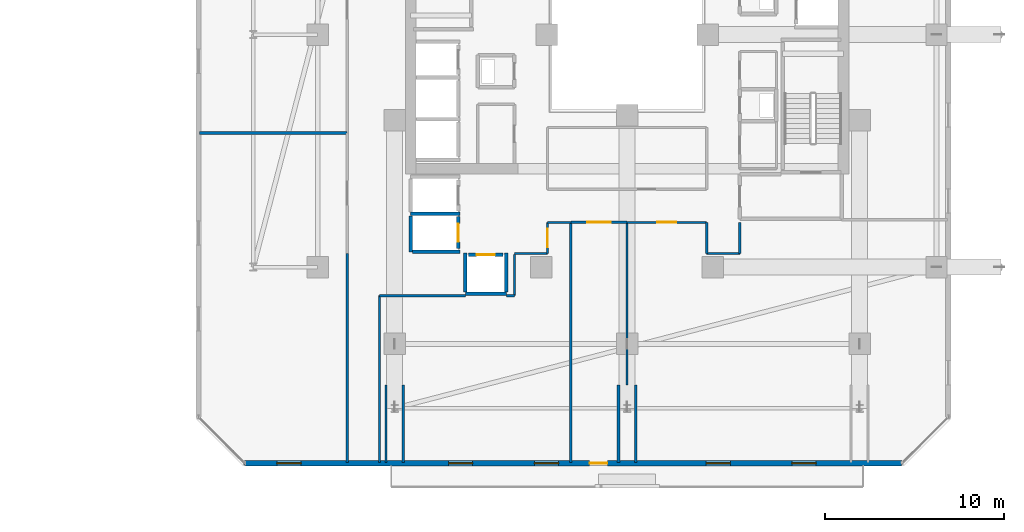
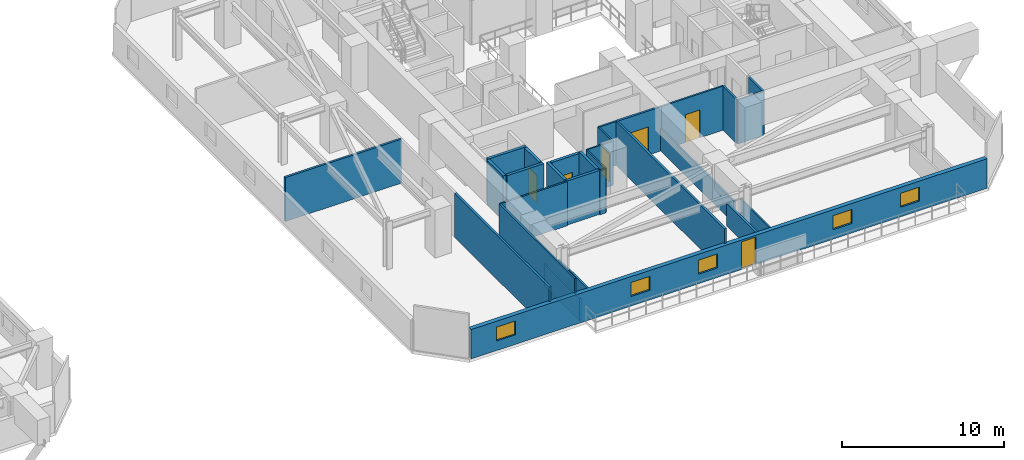
# One storey, part 25 of 36: 29 walls, 6 doors, 5 windows, 11 openings.
"""IFC4 building model written with IfcOpenShell, lengths in metres."""

from ifc_helpers import new_model, si_unit, direction, frame, frame_2d, origin, place, context, subcontext, project, spatial, rectangle, extrude, material, layer, layer_set, type_object, element, fill, save


model = new_model("IFC4")

# Units and contexts
model_context = context("Model", 3, precision=1e-05, world=origin(), true_north=direction((0.0, 1.0)))
body_context = subcontext(model_context, "Body", "Model", "MODEL_VIEW")
ifc_project = project(units=[si_unit("LENGTHUNIT", "METRE"), si_unit("AREAUNIT", "SQUARE_METRE"), si_unit("VOLUMEUNIT", "CUBIC_METRE"), si_unit("PLANEANGLEUNIT", "RADIAN"), si_unit("MASSUNIT", "GRAM", prefix="KILO")], contexts=[model_context])

# Site, building, storey
site_placement = place(None, origin())
site = spatial("IfcSite", under=ifc_project, at=site_placement, CompositionType="ELEMENT")
building_placement = place(site_placement, origin())
building = spatial("IfcBuilding", under=site, at=building_placement, Name="Thornwick Lancets Civic Towers", CompositionType="ELEMENT")
storey_placement = place(building_placement, frame((0.0, 0.0, 116.10009765625)))
storey = spatial("IfcBuildingStorey", under=building, at=storey_placement, Name="L30", CompositionType="ELEMENT", Elevation=116.10009765625)

# Wall, opening, door
ifc_material_1 = material(Name="Concrete blockwork C40/50", Category="masonry")
ifc_layer_1 = layer(ifc_material_1, 0.199951171875, Name="Concrete blockwork C40/50")
ifc_layer_set_1 = layer_set([ifc_layer_1], Name="Concrete blockwork C40/50")
wall_type_1 = type_object("IfcWallType", Name="WALL_COMP_200", PredefinedType="STANDARD", material=ifc_layer_set_1)
wall_1_placement = place(storey_placement, frame((79.050048828125, 15.030029296875, 0.0), z_axis=(0.0, 0.0, 1.0), x_axis=(0.0, 1.0, 0.0)))
wall_1 = element("IfcWall", 1, at=wall_1_placement, inside=storey, type_object=wall_type_1, Name="L30 Hoistway Front Wall PL-BM2", PredefinedType="STANDARD", context=body_context, shape_type="SweptSolid", body=[
    extrude(rectangle(XDim=1.7900390625, YDim=0.199951171875, at=frame_2d((0.89501953125, 0.0))), origin(), (0.0, 0.0, 1.0), 3.31982421875),
])
opening_1_placement = place(wall_1_placement, frame((0.385009765625, 0.0, 0.0)))
opening_1 = element("IfcOpeningElement", 2, at=opening_1_placement, cuts=wall_1, Name="Opening LD-PL-BM2", PredefinedType="OPENING", context=body_context, shape_type="SweptSolid", body=[
    extrude(rectangle(XDim=1.02001953125, YDim=2.06005859375, at=frame_2d((0.510009765625, 1.030029296875))), frame((0.0, 0.10986328125, 0.0), z_axis=(0.0, -1.0, 0.0), x_axis=(1.0, 0.0, 0.0)), (0.0, 0.0, 1.0), 0.219970703125),
])
ifc_material_2 = material(Name="Brushed bronze stainless steel", Category="steel")
door_type_1 = type_object("IfcDoorType", Name="DOOR_LIFT_SLIDE", OperationType="SLIDING_TO_LEFT", PredefinedType="DOOR", material=ifc_material_2)
door_1_placement = place(opening_1_placement, origin())
door_1 = element("IfcDoor", 3, at=door_1_placement, inside=storey, type_object=door_type_1, Name="L30 Sliding Lift Landing Door LD-PL-BM2", OperationType="SLIDING_TO_LEFT", OverallHeight=2.06005859375, OverallWidth=1.02001953125, PredefinedType="DOOR", context=body_context, shape_type="SweptSolid", body=[
    extrude(rectangle(XDim=1.02001953125, YDim=2.06005859375, at=frame_2d((0.510009765625, 1.030029296875))), frame((0.0, 0.02490234375, 0.0), z_axis=(0.0, -1.0, 0.0), x_axis=(1.0, 0.0, 0.0)), (0.0, 0.0, 1.0), 0.050048828125),
])
fill(opening_1, door_1)

wall_2_placement = place(storey_placement, frame((79.6298828125, 14.699951171875, 0.0), z_axis=(0.0, 0.0, 1.0), x_axis=(1.0, 0.0, 0.0)))
wall_2 = element("IfcWall", 4, at=wall_2_placement, inside=storey, type_object=wall_type_1, Name="L30 Hoistway Front Wall PL-BM3", PredefinedType="STANDARD", context=body_context, shape_type="SweptSolid", body=[
    extrude(rectangle(XDim=1.940185546875, YDim=0.199951171875, at=frame_2d((0.97021484375, 0.0))), origin(), (0.0, 0.0, 1.0), 3.31982421875),
])
opening_2_placement = place(wall_2_placement, frame((0.4599609375, 0.0, 0.0)))
opening_2 = element("IfcOpeningElement", 5, at=opening_2_placement, cuts=wall_2, Name="Opening LD-PL-BM3", PredefinedType="OPENING", context=body_context, shape_type="SweptSolid", body=[
    extrude(rectangle(XDim=1.02001953125, YDim=2.06005859375, at=frame_2d((0.510009765625, 1.030029296875))), frame((0.0, 0.10986328125, 0.0), z_axis=(0.0, -1.0, 0.0), x_axis=(1.0, 0.0, 0.0)), (0.0, 0.0, 1.0), 0.219970703125),
])
door_2_placement = place(opening_2_placement, origin())
door_2 = element("IfcDoor", 6, at=door_2_placement, inside=storey, type_object=door_type_1, Name="L30 Sliding Lift Landing Door LD-PL-BM3", OperationType="SLIDING_TO_LEFT", OverallHeight=2.06005859375, OverallWidth=1.02001953125, PredefinedType="DOOR", context=body_context, shape_type="SweptSolid", body=[
    extrude(rectangle(XDim=1.02001953125, YDim=2.06005859375, at=frame_2d((0.510009765625, 1.030029296875))), frame((0.0, 0.02490234375, 0.0), z_axis=(0.0, -1.0, 0.0), x_axis=(1.0, 0.0, 0.0)), (0.0, 0.0, 1.0), 0.050048828125),
])
fill(opening_2, door_2)

# Walls
wall_3_placement = place(storey_placement, frame((76.402099609375, 16.97509765625, 0.0), z_axis=(0.0, 0.0, 1.0), x_axis=(1.0, 0.0, 0.0)))
element("IfcWall", 7, at=wall_3_placement, inside=storey, type_object=wall_type_1, Name="L30 Hoistway Shaft Wall PL-BM1 S", PredefinedType="STANDARD", context=body_context, shape_type="SweptSolid", body=[
    extrude(rectangle(XDim=2.745849609375, YDim=0.199951171875, at=frame_2d((1.373046875, 0.0))), origin(), (0.0, 0.0, 1.0), 3.31982421875),
])
wall_4_placement = place(storey_placement, frame((76.39990234375, 14.85205078125, 0.0), z_axis=(0.0, 0.0, 1.0), x_axis=(0.0, 1.0, 0.0)))
element("IfcWall", 8, at=wall_4_placement, inside=storey, type_object=wall_type_1, Name="L30 Hoistway Shaft Wall PL-BM1 W", PredefinedType="STANDARD", context=body_context, shape_type="SweptSolid", body=[
    extrude(rectangle(XDim=2.015869140625, YDim=0.199951171875, at=frame_2d((1.0078125, 0.0))), origin(), (0.0, 0.0, 1.0), 3.31982421875),
])
wall_5_placement = place(storey_placement, frame((76.511962890625, 14.85009765625, 0.0), z_axis=(0.0, 0.0, 1.0), x_axis=(1.0, 0.0, 0.0)))
element("IfcWall", 9, at=wall_5_placement, inside=storey, type_object=wall_type_1, Name="L30 Hoistway Shaft Wall PL-BM2 S", PredefinedType="STANDARD", context=body_context, shape_type="SweptSolid", body=[
    extrude(rectangle(XDim=2.635986328125, YDim=0.199951171875, at=frame_2d((1.31787109375, 0.0))), origin(), (0.0, 0.0, 1.0), 3.31982421875),
])
wall_6_placement = place(storey_placement, frame((79.451904296875, 12.5, 0.0), z_axis=(0.0, 0.0, 1.0), x_axis=(1.0, 0.0, 0.0)))
element("IfcWall", 10, at=wall_6_placement, inside=storey, type_object=wall_type_1, Name="L30 Hoistway Shaft Wall PL-BM3 S", PredefinedType="STANDARD", context=body_context, shape_type="SweptSolid", body=[
    extrude(rectangle(XDim=2.296142578125, YDim=0.199951171875, at=frame_2d((1.14794921875, 0.0))), origin(), (0.0, 0.0, 1.0), 3.31982421875),
])
for number, where, z_axis, x_axis, name in (
    (11, (81.75, 12.612060546875, 0.0), (0.0, 0.0, 1.0), (0.0, 1.0, 0.0), "L30 Hoistway Shaft Wall PL-BM3 E"),
    (12, (79.449951171875, 12.612060546875, 0.0), (0.0, 0.0, 1.0), (0.0, 1.0, 0.0), "L30 Hoistway Shaft Wall PL-BM3 W"),
):
    element("IfcWall", number, at=place(storey_placement, frame(where, z_axis=z_axis, x_axis=x_axis)), inside=storey, type_object=wall_type_1, Name=name, PredefinedType="STANDARD", context=body_context, shape_type="SweptSolid", body=[
        extrude(rectangle(XDim=2.18603515625, YDim=0.199951171875, at=frame_2d((1.093017578125, 0.0))), origin(), (0.0, 0.0, 1.0), 3.31982421875),
    ])

# Wall, openings, door, windows
ifc_material_3 = material(Name="Insulated russet terracotta rainscreen on concrete C40/50", Category="masonry")
ifc_layer_2 = layer(ifc_material_3, 0.300048828125, Name="Insulated russet terracotta rainscreen on concrete C40/50")
ifc_layer_set_2 = layer_set([ifc_layer_2], Name="Insulated russet terracotta rainscreen on concrete C40/50")
wall_type_2 = type_object("IfcWallType", Name="WALL_EXT_RUSSET_300", PredefinedType="STANDARD", material=ifc_layer_set_2)
wall_7_placement = place(storey_placement, frame((67.11865234375, 3.035400390625, 0.0), z_axis=(0.0, 0.0, 1.0), x_axis=(1.0, 0.0, 0.0)))
wall_7 = element("IfcWall", 13, at=wall_7_placement, inside=storey, type_object=wall_type_2, Name="L30 Tower B Terracotta Facade Wall E0", PredefinedType="STANDARD", context=body_context, shape_type="SweptSolid", body=[
    extrude(rectangle(XDim=36.7626953125, YDim=0.300048828125, at=frame_2d((18.38134765625, 0.0))), origin(), (0.0, 0.0, 1.0), 2.219970703125),
])
opening_3_placement = place(wall_7_placement, frame((19.28125, 0.0, 0.0)))
opening_3 = element("IfcOpeningElement", 14, at=opening_3_placement, cuts=wall_7, Name="Opening D-BL-L30-BS", PredefinedType="OPENING", context=body_context, shape_type="SweptSolid", body=[
    extrude(rectangle(XDim=1.0, YDim=2.080078125, at=frame_2d((0.5, 1.0400390625))), frame((0.0, 0.16015625, 0.0), z_axis=(0.0, -1.0, 0.0), x_axis=(1.0, 0.0, 0.0)), (0.0, 0.0, 1.0), 0.320068359375),
])
opening_4_placement = place(wall_7_placement, frame((1.800048828125, 0.0, 0.719970703125)))
opening_4 = element("IfcOpeningElement", 15, at=opening_4_placement, cuts=wall_7, Name="Opening WL-03", PredefinedType="OPENING", context=body_context, shape_type="SweptSolid", body=[
    extrude(rectangle(XDim=1.35009765625, YDim=1.050048828125, at=frame_2d((0.675048828125, 0.52490234375))), frame((0.0, 0.16015625, 0.0), z_axis=(0.0, -1.0, 0.0), x_axis=(1.0, 0.0, 0.0)), (0.0, 0.0, 1.0), 0.320068359375),
])
opening_5_placement = place(wall_7_placement, frame((11.39990234375, 0.0, 0.719970703125)))
opening_5 = element("IfcOpeningElement", 16, at=opening_5_placement, cuts=wall_7, Name="Opening WL-03", PredefinedType="OPENING", context=body_context, shape_type="SweptSolid", body=[
    extrude(rectangle(XDim=1.35009765625, YDim=1.050048828125, at=frame_2d((0.675048828125, 0.52490234375))), frame((0.0, 0.16015625, 0.0), z_axis=(0.0, -1.0, 0.0), x_axis=(1.0, 0.0, 0.0)), (0.0, 0.0, 1.0), 0.320068359375),
])
opening_6_placement = place(wall_7_placement, frame((16.199951171875, 0.0, 0.719970703125)))
opening_6 = element("IfcOpeningElement", 17, at=opening_6_placement, cuts=wall_7, Name="Opening WL-03", PredefinedType="OPENING", context=body_context, shape_type="SweptSolid", body=[
    extrude(rectangle(XDim=1.35009765625, YDim=1.050048828125, at=frame_2d((0.675048828125, 0.52490234375))), frame((0.0, 0.16015625, 0.0), z_axis=(0.0, -1.0, 0.0), x_axis=(1.0, 0.0, 0.0)), (0.0, 0.0, 1.0), 0.320068359375),
])
opening_7_placement = place(wall_7_placement, frame((25.800048828125, 0.0, 0.719970703125)))
opening_7 = element("IfcOpeningElement", 18, at=opening_7_placement, cuts=wall_7, Name="Opening WL-03", PredefinedType="OPENING", context=body_context, shape_type="SweptSolid", body=[
    extrude(rectangle(XDim=1.35009765625, YDim=1.050048828125, at=frame_2d((0.675048828125, 0.52490234375))), frame((0.0, 0.16015625, 0.0), z_axis=(0.0, -1.0, 0.0), x_axis=(1.0, 0.0, 0.0)), (0.0, 0.0, 1.0), 0.320068359375),
])
opening_8_placement = place(wall_7_placement, frame((30.60009765625, 0.0, 0.719970703125)))
opening_8 = element("IfcOpeningElement", 19, at=opening_8_placement, cuts=wall_7, Name="Opening WL-03", PredefinedType="OPENING", context=body_context, shape_type="SweptSolid", body=[
    extrude(rectangle(XDim=1.35009765625, YDim=1.050048828125, at=frame_2d((0.675048828125, 0.52490234375))), frame((0.0, 0.16015625, 0.0), z_axis=(0.0, -1.0, 0.0), x_axis=(1.0, 0.0, 0.0)), (0.0, 0.0, 1.0), 0.320068359375),
])
ifc_material_4 = material(Name="Thermally broken glazed loggia doorset")
door_type_2 = type_object("IfcDoorType", Name="DOOR_BALC_1000", OperationType="NOTDEFINED", PredefinedType="DOOR", material=ifc_material_4)
door_3_placement = place(opening_3_placement, origin())
door_3 = element("IfcDoor", 20, at=door_3_placement, inside=storey, type_object=door_type_2, Name="L30 Tower B Loggia Balcony Door S", OperationType="SINGLE_SWING_LEFT", OverallHeight=2.080078125, OverallWidth=1.0, PredefinedType="DOOR", context=body_context, shape_type="SweptSolid", body=[
    extrude(rectangle(XDim=1.0, YDim=2.080078125, at=frame_2d((0.5, 1.0400390625))), frame((0.0, 0.02490234375, 0.0), z_axis=(0.0, -1.0, 0.0), x_axis=(1.0, 0.0, 0.0)), (0.0, 0.0, 1.0), 0.050048828125),
])
fill(opening_3, door_3)
ifc_material_5 = material(Name="Clear low-e double glazing clerestory lancet", Category="glass")
window_type = type_object("IfcWindowType", Name="WIN_LANCET_1350", PartitioningType="SINGLE_PANEL", PredefinedType="WINDOW", material=ifc_material_5)
window_1_placement = place(opening_4_placement, origin())
window_1 = element("IfcWindow", 21, at=window_1_placement, inside=storey, type_object=window_type, Name="L30 Tower B Staggered Lancet Window E0-1", OverallHeight=1.050048828125, OverallWidth=1.35009765625, PartitioningType="SINGLE_PANEL", PredefinedType="WINDOW", context=body_context, shape_type="SweptSolid", body=[
    extrude(rectangle(XDim=1.35009765625, YDim=1.050048828125, at=frame_2d((0.675048828125, 0.52490234375))), frame((0.0, 0.030029296875, 0.0), z_axis=(0.0, -1.0, 0.0), x_axis=(1.0, 0.0, 0.0)), (0.0, 0.0, 1.0), 0.06005859375),
])
fill(opening_4, window_1)
window_2_placement = place(opening_5_placement, origin())
window_2 = element("IfcWindow", 22, at=window_2_placement, inside=storey, type_object=window_type, Name="L30 Tower B Staggered Lancet Window E0-2", OverallHeight=1.050048828125, OverallWidth=1.35009765625, PartitioningType="SINGLE_PANEL", PredefinedType="WINDOW", context=body_context, shape_type="SweptSolid", body=[
    extrude(rectangle(XDim=1.35009765625, YDim=1.050048828125, at=frame_2d((0.675048828125, 0.52490234375))), frame((0.0, 0.030029296875, 0.0), z_axis=(0.0, -1.0, 0.0), x_axis=(1.0, 0.0, 0.0)), (0.0, 0.0, 1.0), 0.06005859375),
])
fill(opening_5, window_2)
window_3_placement = place(opening_6_placement, origin())
window_3 = element("IfcWindow", 23, at=window_3_placement, inside=storey, type_object=window_type, Name="L30 Tower B Staggered Lancet Window E0-3", OverallHeight=1.050048828125, OverallWidth=1.35009765625, PartitioningType="SINGLE_PANEL", PredefinedType="WINDOW", context=body_context, shape_type="SweptSolid", body=[
    extrude(rectangle(XDim=1.35009765625, YDim=1.050048828125, at=frame_2d((0.675048828125, 0.52490234375))), frame((0.0, 0.030029296875, 0.0), z_axis=(0.0, -1.0, 0.0), x_axis=(1.0, 0.0, 0.0)), (0.0, 0.0, 1.0), 0.06005859375),
])
fill(opening_6, window_3)
window_4_placement = place(opening_7_placement, origin())
window_4 = element("IfcWindow", 24, at=window_4_placement, inside=storey, type_object=window_type, Name="L30 Tower B Staggered Lancet Window E0-4", OverallHeight=1.050048828125, OverallWidth=1.35009765625, PartitioningType="SINGLE_PANEL", PredefinedType="WINDOW", context=body_context, shape_type="SweptSolid", body=[
    extrude(rectangle(XDim=1.35009765625, YDim=1.050048828125, at=frame_2d((0.675048828125, 0.52490234375))), frame((0.0, 0.030029296875, 0.0), z_axis=(0.0, -1.0, 0.0), x_axis=(1.0, 0.0, 0.0)), (0.0, 0.0, 1.0), 0.06005859375),
])
fill(opening_7, window_4)
window_5_placement = place(opening_8_placement, origin())
window_5 = element("IfcWindow", 25, at=window_5_placement, inside=storey, type_object=window_type, Name="L30 Tower B Staggered Lancet Window E0-5", OverallHeight=1.050048828125, OverallWidth=1.35009765625, PartitioningType="SINGLE_PANEL", PredefinedType="WINDOW", context=body_context, shape_type="SweptSolid", body=[
    extrude(rectangle(XDim=1.35009765625, YDim=1.050048828125, at=frame_2d((0.675048828125, 0.52490234375))), frame((0.0, 0.030029296875, 0.0), z_axis=(0.0, -1.0, 0.0), x_axis=(1.0, 0.0, 0.0)), (0.0, 0.0, 1.0), 0.06005859375),
])
fill(opening_8, window_5)

# Walls
ifc_material_6 = material(Name="Acoustic gypsum board partition")
ifc_layer_3 = layer(ifc_material_6, 0.1201171875, Name="Acoustic gypsum board partition")
ifc_layer_set_3 = layer_set([ifc_layer_3], Name="Acoustic gypsum board partition")
wall_type_3 = type_object("IfcWallType", Name="WALL_PART_120", PredefinedType="PARTITIONING", material=ifc_layer_set_3)
wall_8_placement = place(storey_placement, frame((92.949951171875, 16.5, 0.0), z_axis=(0.0, 0.0, 1.0), x_axis=(0.0, -1.0, 0.0)))
element("IfcWall", 26, at=wall_8_placement, inside=storey, type_object=wall_type_3, Name="L30 Partition L30-B-W1 E1", PredefinedType="PARTITIONING", context=body_context, shape_type="SweptSolid", body=[
    extrude(rectangle(XDim=1.75, YDim=0.1201171875, at=frame_2d((0.875, 0.0))), origin(), (0.0, 0.0, 1.0), 3.31982421875),
])
wall_9_placement = place(storey_placement, frame((92.949951171875, 14.75, 0.0), z_axis=(0.0, 0.0, 1.0), x_axis=(1.0, 0.0, 0.0)))
element("IfcWall", 27, at=wall_9_placement, inside=storey, type_object=wall_type_3, Name="L30 Partition L30-B-W1 E2", PredefinedType="PARTITIONING", context=body_context, shape_type="SweptSolid", body=[
    extrude(rectangle(XDim=1.85009765625, YDim=0.1201171875, at=frame_2d((0.925048828125, 0.0))), origin(), (0.0, 0.0, 1.0), 3.31982421875),
])
wall_10_placement = place(storey_placement, frame((94.800048828125, 14.75, 0.0), z_axis=(0.0, 0.0, 1.0), x_axis=(0.0, 1.0, 0.0)))
element("IfcWall", 28, at=wall_10_placement, inside=storey, type_object=wall_type_3, Name="L30 Partition L30-B-W1 E3", PredefinedType="PARTITIONING", context=body_context, shape_type="SweptSolid", body=[
    extrude(rectangle(XDim=1.75, YDim=0.1201171875, at=frame_2d((0.875, 0.0))), origin(), (0.0, 0.0, 1.0), 3.31982421875),
])
wall_11_placement = place(storey_placement, frame((88.97998046875, 3.080078125, 0.0), z_axis=(0.0, 0.0, 1.0), x_axis=(0.0, 1.0, 0.0)))
element("IfcWall", 29, at=wall_11_placement, inside=storey, type_object=wall_type_3, Name="L30 Partition L30-B-W1 E13", PredefinedType="PARTITIONING", context=body_context, shape_type="SweptSolid", body=[
    extrude(rectangle(XDim=4.334228515625, YDim=0.1201171875, at=frame_2d((2.1669921875, 0.0))), origin(), (0.0, 0.0, 1.0), 1.684814453125),
])
wall_12_placement = place(storey_placement, frame((88.5, 7.414306640625, 0.0), z_axis=(0.0, 0.0, 1.0), x_axis=(0.0, 1.0, 0.0)))
element("IfcWall", 30, at=wall_12_placement, inside=storey, type_object=wall_type_3, Name="L30 Partition L30-B-W1 E15", PredefinedType="PARTITIONING", context=body_context, shape_type="SweptSolid", body=[
    extrude(rectangle(XDim=9.085693359375, YDim=0.1201171875, at=frame_2d((4.54296875, 0.0))), origin(), (0.0, 0.0, 1.0), 1.684814453125),
])

# Wall, opening, door
wall_13_placement = place(storey_placement, frame((88.5, 16.5, 0.0), z_axis=(0.0, 0.0, 1.0), x_axis=(1.0, 0.0, 0.0)))
wall_13 = element("IfcWall", 31, at=wall_13_placement, inside=storey, type_object=wall_type_3, Name="L30 Partition L30-B-W1 E16", PredefinedType="PARTITIONING", context=body_context, shape_type="SweptSolid", body=[
    extrude(rectangle(XDim=4.449951171875, YDim=0.1201171875, at=frame_2d((2.22509765625, 0.0))), origin(), (0.0, 0.0, 1.0), 3.31982421875),
])
opening_9_placement = place(wall_13_placement, frame((1.699951171875, 0.0, 0.0)))
opening_9 = element("IfcOpeningElement", 32, at=opening_9_placement, cuts=wall_13, Name="Opening D-L30-1404", PredefinedType="OPENING", context=body_context, shape_type="SweptSolid", body=[
    extrude(rectangle(XDim=1.050048828125, YDim=2.10009765625, at=frame_2d((0.52490234375, 1.050048828125))), frame((0.0, 0.070068359375, 0.0), z_axis=(0.0, -1.0, 0.0), x_axis=(1.0, 0.0, 0.0)), (0.0, 0.0, 1.0), 0.14013671875),
])
ifc_material_7 = material(Name="Glazed European oak executive doorset")
door_type_3 = type_object("IfcDoorType", Name="DOOR_OFFICE_1050", OperationType="NOTDEFINED", PredefinedType="DOOR", material=ifc_material_7)
door_4_placement = place(opening_9_placement, origin())
door_4 = element("IfcDoor", 33, at=door_4_placement, inside=storey, type_object=door_type_3, Name="L30 Tower B Ministry Directorate Office W1 Door", OperationType="SINGLE_SWING_LEFT", OverallHeight=2.10009765625, OverallWidth=1.050048828125, PredefinedType="DOOR", context=body_context, shape_type="SweptSolid", body=[
    extrude(rectangle(XDim=1.050048828125, YDim=2.10009765625, at=frame_2d((0.52490234375, 1.050048828125))), frame((0.0, 0.02490234375, 0.0), z_axis=(0.0, -1.0, 0.0), x_axis=(1.0, 0.0, 0.0)), (0.0, 0.0, 1.0), 0.050048828125),
])
fill(opening_9, door_4)

# Walls
wall_14_placement = place(storey_placement, frame((82.199951171875, 12.39990234375, 0.0), z_axis=(0.0, 0.0, 1.0), x_axis=(0.0, 1.0, 0.0)))
element("IfcWall", 34, at=wall_14_placement, inside=storey, type_object=wall_type_3, Name="L30 Partition L30-B-W3 E1", PredefinedType="PARTITIONING", context=body_context, shape_type="SweptSolid", body=[
    extrude(rectangle(XDim=2.300048828125, YDim=0.1201171875, at=frame_2d((1.14990234375, 0.0))), origin(), (0.0, 0.0, 1.0), 3.31982421875),
])
wall_15_placement = place(storey_placement, frame((82.199951171875, 14.75, 0.0), z_axis=(0.0, 0.0, 1.0), x_axis=(1.0, 0.0, 0.0)))
element("IfcWall", 35, at=wall_15_placement, inside=storey, type_object=wall_type_3, Name="L30 Partition L30-B-W3 E3", PredefinedType="PARTITIONING", context=body_context, shape_type="SweptSolid", body=[
    extrude(rectangle(XDim=1.85009765625, YDim=0.1201171875, at=frame_2d((0.925048828125, 0.0))), origin(), (0.0, 0.0, 1.0), 3.31982421875),
])

# Wall, opening, door
wall_16_placement = place(storey_placement, frame((84.050048828125, 14.75, 0.0), z_axis=(0.0, 0.0, 1.0), x_axis=(0.0, 1.0, 0.0)))
wall_16 = element("IfcWall", 36, at=wall_16_placement, inside=storey, type_object=wall_type_3, Name="L30 Partition L30-B-W3 E4", PredefinedType="PARTITIONING", context=body_context, shape_type="SweptSolid", body=[
    extrude(rectangle(XDim=1.75, YDim=0.1201171875, at=frame_2d((0.875, 0.0))), origin(), (0.0, 0.0, 1.0), 3.31982421875),
])
opening_10_placement = place(wall_16_placement, frame((0.35009765625, 0.0, 0.0)))
opening_10 = element("IfcOpeningElement", 37, at=opening_10_placement, cuts=wall_16, Name="Opening D-L30-1406", PredefinedType="OPENING", context=body_context, shape_type="SweptSolid", body=[
    extrude(rectangle(XDim=1.050048828125, YDim=2.10009765625, at=frame_2d((0.52490234375, 1.050048828125))), frame((0.0, 0.070068359375, 0.0), z_axis=(0.0, -1.0, 0.0), x_axis=(1.0, 0.0, 0.0)), (0.0, 0.0, 1.0), 0.14013671875),
])
door_5_placement = place(opening_10_placement, origin())
door_5 = element("IfcDoor", 38, at=door_5_placement, inside=storey, type_object=door_type_3, Name="L30 Tower B Staff Tea Pantry and Lounge Door", OperationType="SINGLE_SWING_LEFT", OverallHeight=2.10009765625, OverallWidth=1.050048828125, PredefinedType="DOOR", context=body_context, shape_type="SweptSolid", body=[
    extrude(rectangle(XDim=1.050048828125, YDim=2.10009765625, at=frame_2d((0.52490234375, 1.050048828125))), frame((0.0, 0.02490234375, 0.0), z_axis=(0.0, -1.0, 0.0), x_axis=(1.0, 0.0, 0.0)), (0.0, 0.0, 1.0), 0.050048828125),
])
fill(opening_10, door_5)

# Walls
wall_17_placement = place(storey_placement, frame((84.050048828125, 16.5, 0.0), z_axis=(0.0, 0.0, 1.0), x_axis=(1.0, 0.0, 0.0)))
element("IfcWall", 39, at=wall_17_placement, inside=storey, type_object=wall_type_3, Name="L30 Partition L30-B-W3 E5", PredefinedType="PARTITIONING", context=body_context, shape_type="SweptSolid", body=[
    extrude(rectangle(XDim=1.300048828125, YDim=0.1201171875, at=frame_2d((0.64990234375, 0.0))), origin(), (0.0, 0.0, 1.0), 3.31982421875),
])
for number, where, z_axis, x_axis, name in (
    (40, (75.97998046875, 3.080078125, 0.0), (0.0, 0.0, 1.0), (0.0, 1.0, 0.0), "L30 Partition L30-B-W3 E8"),
    (41, (75.02001953125, 7.414306640625, 0.0), (0.0, 0.0, 1.0), (0.0, -1.0, 0.0), "L30 Partition L30-B-W3 E10"),
):
    element("IfcWall", number, at=place(storey_placement, frame(where, z_axis=z_axis, x_axis=x_axis)), inside=storey, type_object=wall_type_3, Name=name, PredefinedType="PARTITIONING", context=body_context, shape_type="SweptSolid", body=[
        extrude(rectangle(XDim=4.334228515625, YDim=0.1201171875, at=frame_2d((2.1669921875, 0.0))), origin(), (0.0, 0.0, 1.0), 1.684814453125),
    ])
wall_18_placement = place(storey_placement, frame((74.64990234375, 3.080078125, 0.0), z_axis=(0.0, 0.0, 1.0), x_axis=(0.0, 1.0, 0.0)))
element("IfcWall", 42, at=wall_18_placement, inside=storey, type_object=wall_type_3, Name="L30 Partition L30-B-W3 E12", PredefinedType="PARTITIONING", context=body_context, shape_type="SweptSolid", body=[
    extrude(rectangle(XDim=9.31982421875, YDim=0.1201171875, at=frame_2d((4.659912109375, 0.0))), origin(), (0.0, 0.0, 1.0), 3.31982421875),
])
wall_19_placement = place(storey_placement, frame((74.64990234375, 12.39990234375, 0.0), z_axis=(0.0, 0.0, 1.0), x_axis=(1.0, 0.0, 0.0)))
element("IfcWall", 43, at=wall_19_placement, inside=storey, type_object=wall_type_3, Name="L30 Partition L30-B-W3 E13", PredefinedType="PARTITIONING", context=body_context, shape_type="SweptSolid", body=[
    extrude(rectangle(XDim=4.802001953125, YDim=0.1201171875, at=frame_2d((2.40087890625, 0.0))), origin(), (0.0, 0.0, 1.0), 3.31982421875),
])
wall_20_placement = place(storey_placement, frame((81.748046875, 12.39990234375, 0.0), z_axis=(0.0, 0.0, 1.0), x_axis=(1.0, 0.0, 0.0)))
element("IfcWall", 44, at=wall_20_placement, inside=storey, type_object=wall_type_3, Name="L30 Partition L30-B-W3 E13", PredefinedType="PARTITIONING", context=body_context, shape_type="SweptSolid", body=[
    extrude(rectangle(XDim=0.451904296875, YDim=0.1201171875, at=frame_2d((0.22607421875, 0.0))), origin(), (0.0, 0.0, 1.0), 3.31982421875),
])
ifc_material_8 = material(Name="Twin-stud acoustic gypsum board")
ifc_layer_4 = layer(ifc_material_8, 0.14990234375, Name="Twin-stud acoustic gypsum board")
ifc_layer_set_4 = layer_set([ifc_layer_4], Name="Twin-stud acoustic gypsum board")
wall_type_4 = type_object("IfcWallType", Name="WALL_PART_150", PredefinedType="PARTITIONING", material=ifc_layer_set_4)
wall_21_placement = place(storey_placement, frame((88.02001953125, 7.414306640625, 0.0), z_axis=(0.0, 0.0, 1.0), x_axis=(0.0, -1.0, 0.0)))
element("IfcWall", 45, at=wall_21_placement, inside=storey, type_object=wall_type_4, Name="L30 Partition L30-B-W2 E3", PredefinedType="PARTITIONING", context=body_context, shape_type="SweptSolid", body=[
    extrude(rectangle(XDim=4.334228515625, YDim=0.14990234375, at=frame_2d((2.1669921875, 0.0))), origin(), (0.0, 0.0, 1.0), 1.684814453125),
])
wall_22_placement = place(storey_placement, frame((85.35009765625, 3.080078125, 0.0), z_axis=(0.0, 0.0, 1.0), x_axis=(0.0, 1.0, 0.0)))
element("IfcWall", 46, at=wall_22_placement, inside=storey, type_object=wall_type_4, Name="L30 Partition L30-B-W2 E5", PredefinedType="PARTITIONING", context=body_context, shape_type="SweptSolid", body=[
    extrude(rectangle(XDim=13.419921875, YDim=0.14990234375, at=frame_2d((6.7099609375, 0.0))), origin(), (0.0, 0.0, 1.0), 3.31982421875),
])

# Wall, opening, door
wall_23_placement = place(storey_placement, frame((85.35009765625, 16.5, 0.0), z_axis=(0.0, 0.0, 1.0), x_axis=(1.0, 0.0, 0.0)))
wall_23 = element("IfcWall", 47, at=wall_23_placement, inside=storey, type_object=wall_type_4, Name="L30 Partition L30-B-W2 E6", PredefinedType="PARTITIONING", context=body_context, shape_type="SweptSolid", body=[
    extrude(rectangle(XDim=3.14990234375, YDim=0.14990234375, at=frame_2d((1.574951171875, 0.0))), origin(), (0.0, 0.0, 1.0), 3.31982421875),
])
opening_11_placement = place(wall_23_placement, frame((0.925048828125, 0.0, 0.0)))
opening_11 = element("IfcOpeningElement", 48, at=opening_11_placement, cuts=wall_23, Name="Opening D-L30-1405", PredefinedType="OPENING", context=body_context, shape_type="SweptSolid", body=[
    extrude(rectangle(XDim=1.300048828125, YDim=2.1201171875, at=frame_2d((0.64990234375, 1.06005859375))), frame((0.0, 0.0849609375, 0.0), z_axis=(0.0, -1.0, 0.0), x_axis=(1.0, 0.0, 0.0)), (0.0, 0.0, 1.0), 0.169921875),
])
ifc_material_9 = material(Name="Acoustic oak leaf-and-a-half doorset")
door_type_4 = type_object("IfcDoorType", Name="DOOR_MEET_1300", OperationType="DOUBLE_DOOR_SINGLE_SWING", PredefinedType="DOOR", material=ifc_material_9)
door_6_placement = place(opening_11_placement, origin())
door_6 = element("IfcDoor", 49, at=door_6_placement, inside=storey, type_object=door_type_4, Name="L30 Tower B Policy Briefing Room W2 Door", OperationType="DOUBLE_DOOR_SINGLE_SWING", OverallHeight=2.1201171875, OverallWidth=1.300048828125, PredefinedType="DOOR", context=body_context, shape_type="SweptSolid", body=[
    extrude(rectangle(XDim=1.300048828125, YDim=2.1201171875, at=frame_2d((0.64990234375, 1.06005859375))), frame((0.0, 0.02490234375, 0.0), z_axis=(0.0, -1.0, 0.0), x_axis=(1.0, 0.0, 0.0)), (0.0, 0.0, 1.0), 0.050048828125),
])
fill(opening_11, door_6)

# Walls
wall_24_placement = place(storey_placement, frame((72.85009765625, 14.75, 0.0), z_axis=(0.0, 0.0, 1.0), x_axis=(0.0, -1.0, 0.0)))
element("IfcWall", 50, at=wall_24_placement, inside=storey, type_object=wall_type_4, Name="L30 Partition L30-B-N-CONF E1", PredefinedType="PARTITIONING", context=body_context, shape_type="SweptSolid", body=[
    extrude(rectangle(XDim=11.669921875, YDim=0.14990234375, at=frame_2d((5.8349609375, 0.0))), origin(), (0.0, 0.0, 1.0), 3.31982421875),
])
wall_25_placement = place(storey_placement, frame((64.580078125, 21.5, 0.0), z_axis=(0.0, 0.0, 1.0), x_axis=(1.0, 0.0, 0.0)))
element("IfcWall", 51, at=wall_25_placement, inside=storey, type_object=wall_type_4, Name="L30 Partition L30-B-N-CONF E5", PredefinedType="PARTITIONING", context=body_context, shape_type="SweptSolid", body=[
    extrude(rectangle(XDim=8.27001953125, YDim=0.14990234375, at=frame_2d((4.135009765625, 0.0))), origin(), (0.0, 0.0, 1.0), 3.31982421875),
])

save(model, "model.ifc")
